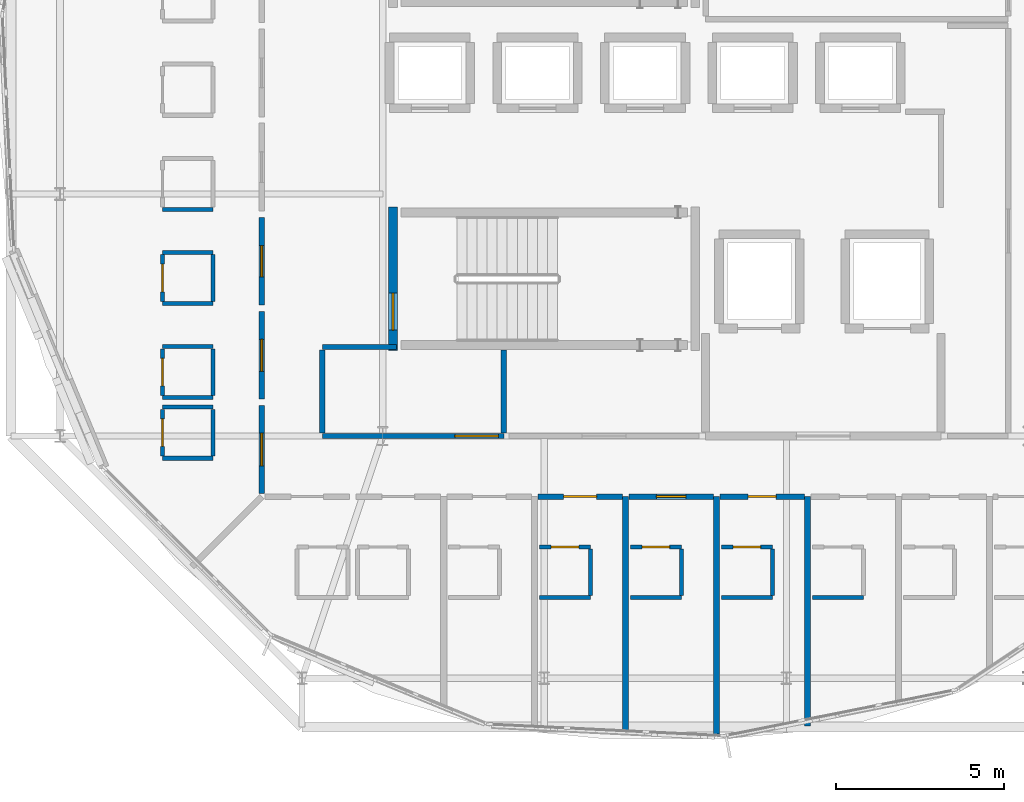
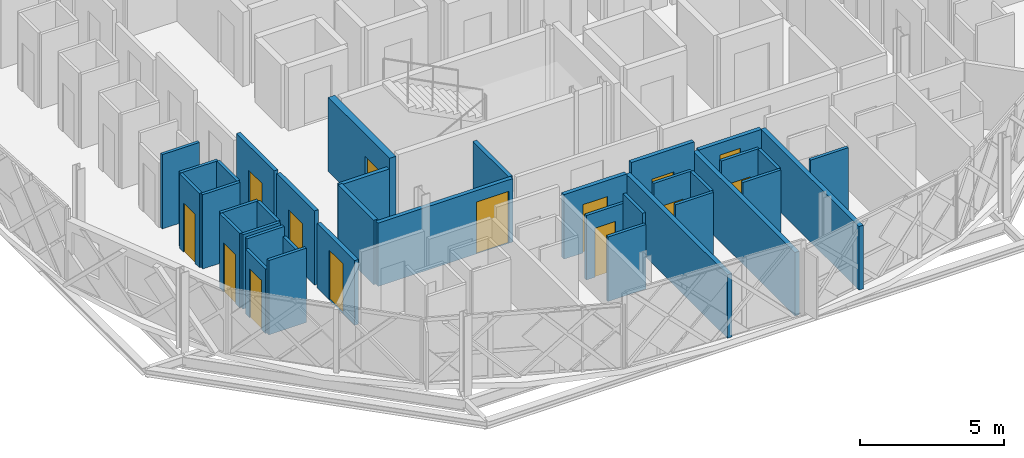
# One storey, part 13 of 24: 37 walls, 14 doors, 14 openings.
"""IFC4 building model written with IfcOpenShell, lengths in metres."""

from ifc_helpers import new_model, si_unit, direction, frame, frame_2d, origin, place, context, subcontext, project, spatial, rectangle, extrude, material, layer, layer_set, type_object, element, fill, save


model = new_model("IFC4")

# Units and contexts
model_context = context("Model", 3, precision=1e-05, world=origin(), true_north=direction((0.0, 1.0)))
body_context = subcontext(model_context, "Body", "Model", "MODEL_VIEW")
ifc_project = project(units=[si_unit("LENGTHUNIT", "METRE"), si_unit("AREAUNIT", "SQUARE_METRE"), si_unit("VOLUMEUNIT", "CUBIC_METRE"), si_unit("PLANEANGLEUNIT", "RADIAN"), si_unit("MASSUNIT", "GRAM", prefix="KILO")], contexts=[model_context])

# Site, building, storey
site_placement = place(None, origin())
site = spatial("IfcSite", under=ifc_project, at=site_placement, CompositionType="ELEMENT")
building_placement = place(site_placement, origin())
building = spatial("IfcBuilding", under=site, at=building_placement, Name="Zevrakil Square Congress Hotel", CompositionType="ELEMENT")
storey_placement = place(building_placement, frame((0.0, 0.0, 38.5)))
storey = spatial("IfcBuildingStorey", under=building, at=storey_placement, Name="L11", CompositionType="ELEMENT", Elevation=38.5)

# Wall, opening, door
ifc_material_1 = material(Name="Gypsum Acoustic Stud Partition")
ifc_layer_1 = layer(ifc_material_1, 0.159912109375)
ifc_layer_set_1 = layer_set([ifc_layer_1], Name="Gypsum Acoustic Stud Partition")
wall_type_1 = type_object("IfcWallType", Name="WAL-CORR-160", PredefinedType="PARTITIONING", material=ifc_layer_set_1)
wall_1_placement = place(storey_placement, frame((135.0, 16.800048828125, 0.0), z_axis=(0.0, 0.0, 1.0), x_axis=(1.0, 0.0, 0.0)))
wall_1 = element("IfcWall", 1, at=wall_1_placement, inside=storey, type_object=wall_type_1, Name="L11 interior partition PW-L11-1780", PredefinedType="PARTITIONING", context=body_context, shape_type="SweptSolid", body=[
    extrude(rectangle(XDim=5.39990234375, YDim=0.159912109375, at=frame_2d((2.699951171875, 0.0))), origin(), (0.0, 0.0, 1.0), 2.68505859375),
])
opening_1_placement = place(wall_1_placement, frame((3.93994140625, 0.0, 0.0)))
opening_1 = element("IfcOpeningElement", 2, at=opening_1_placement, cuts=wall_1, Name="Opening ID-08", PredefinedType="OPENING", context=body_context, shape_type="SweptSolid", body=[
    extrude(rectangle(XDim=1.300048828125, YDim=2.199951171875, at=frame_2d((0.64990234375, 1.10009765625))), frame((0.0, 0.08984375, 0.0), z_axis=(0.0, -1.0, 0.0), x_axis=(1.0, 0.0, 0.0)), (0.0, 0.0, 1.0), 0.179931640625),
])
ifc_material_2 = material(Name="Service Corridor Leaf-and-Half Door")
door_type_1 = type_object("IfcDoorType", Name="DOR-BOH-130", OperationType="NOTDEFINED", PredefinedType="DOOR", material=ifc_material_2)
door_1_placement = place(opening_1_placement, origin())
door_1 = element("IfcDoor", 3, at=door_1_placement, inside=storey, type_object=door_type_1, Name="L11 interior door 692", OperationType="SINGLE_SWING_RIGHT", OverallHeight=2.199951171875, OverallWidth=1.300048828125, PredefinedType="DOOR", context=body_context, shape_type="SweptSolid", body=[
    extrude(rectangle(XDim=1.300048828125, YDim=2.199951171875, at=frame_2d((0.64990234375, 1.10009765625))), frame((0.0, 0.02490234375, 0.0), z_axis=(0.0, -1.0, 0.0), x_axis=(1.0, 0.0, 0.0)), (0.0, 0.0, 1.0), 0.050048828125),
])
fill(opening_1, door_1)

# Walls
wall_2_placement = place(storey_placement, frame((135.0, 16.885009765625, 0.0), z_axis=(0.0, 0.0, 1.0), x_axis=(0.0, 1.0, 0.0)))
element("IfcWall", 4, at=wall_2_placement, inside=storey, type_object=wall_type_1, Name="L11 interior partition PW-L11-1781", PredefinedType="PARTITIONING", context=body_context, shape_type="SweptSolid", body=[
    extrude(rectangle(XDim=2.47998046875, YDim=0.159912109375, at=frame_2d((1.239990234375, 0.0))), origin(), (0.0, 0.0, 1.0), 2.735107421875),
])
wall_3_placement = place(storey_placement, frame((140.39990234375, 16.885009765625, 0.0), z_axis=(0.0, 0.0, 1.0), x_axis=(0.0, 1.0, 0.0)))
element("IfcWall", 5, at=wall_3_placement, inside=storey, type_object=wall_type_1, Name="L11 interior partition PW-L11-1782", PredefinedType="PARTITIONING", context=body_context, shape_type="SweptSolid", body=[
    extrude(rectangle(XDim=2.47998046875, YDim=0.159912109375, at=frame_2d((1.239990234375, 0.0))), origin(), (0.0, 0.0, 1.0), 2.68505859375),
])
wall_4_placement = place(storey_placement, frame((135.0, 19.449951171875, 0.0), z_axis=(0.0, 0.0, 1.0), x_axis=(1.0, 0.0, 0.0)))
element("IfcWall", 6, at=wall_4_placement, inside=storey, type_object=wall_type_1, Name="L11 interior partition PW-L11-1783", PredefinedType="PARTITIONING", context=body_context, shape_type="SweptSolid", body=[
    extrude(rectangle(XDim=2.199951171875, YDim=0.159912109375, at=frame_2d((1.10009765625, 0.0))), origin(), (0.0, 0.0, 1.0), 2.68505859375),
])

# Wall, opening, door
wall_5_placement = place(storey_placement, frame((141.41162109375, 15.0, 0.0), z_axis=(0.0, 0.0, 1.0), x_axis=(1.0, 0.0, 0.0)))
wall_5 = element("IfcWall", 7, at=wall_5_placement, inside=storey, type_object=wall_type_1, Name="L11 interior partition PW-L11-1816", PredefinedType="PARTITIONING", context=body_context, shape_type="SweptSolid", body=[
    extrude(rectangle(XDim=2.515625, YDim=0.159912109375, at=frame_2d((1.2578125, 0.0))), origin(), (0.0, 0.0, 1.0), 2.735107421875),
])
opening_2_placement = place(wall_5_placement, frame((0.767822265625, 0.0, 0.0)))
opening_2 = element("IfcOpeningElement", 8, at=opening_2_placement, cuts=wall_5, Name="Opening ID-G06", PredefinedType="OPENING", context=body_context, shape_type="SweptSolid", body=[
    extrude(rectangle(XDim=0.97998046875, YDim=2.050048828125, at=frame_2d((0.489990234375, 1.02490234375))), frame((0.0, 0.08984375, 0.0), z_axis=(0.0, -1.0, 0.0), x_axis=(1.0, 0.0, 0.0)), (0.0, 0.0, 1.0), 0.179931640625),
])
ifc_material_3 = material(Name="Acoustic Timber Fire Door", Category="wood")
door_type_2 = type_object("IfcDoorType", Name="DOR-INT-G06", OperationType="NOTDEFINED", PredefinedType="DOOR", material=ifc_material_3)
door_2_placement = place(opening_2_placement, origin())
door_2 = element("IfcDoor", 9, at=door_2_placement, inside=storey, type_object=door_type_2, Name="L11 interior door 704", OperationType="SINGLE_SWING_RIGHT", OverallHeight=2.050048828125, OverallWidth=0.97998046875, PredefinedType="DOOR", context=body_context, shape_type="SweptSolid", body=[
    extrude(rectangle(XDim=0.97998046875, YDim=2.050048828125, at=frame_2d((0.489990234375, 1.02490234375))), frame((0.0, 0.02490234375, 0.0), z_axis=(0.0, -1.0, 0.0), x_axis=(1.0, 0.0, 0.0)), (0.0, 0.0, 1.0), 0.050048828125),
])
fill(opening_2, door_2)

wall_6_placement = place(storey_placement, frame((144.1171875, 15.0, 0.0), z_axis=(0.0, 0.0, 1.0), x_axis=(1.0, 0.0, 0.0)))
wall_6 = element("IfcWall", 10, at=wall_6_placement, inside=storey, type_object=wall_type_1, Name="L11 interior partition PW-L11-1821", PredefinedType="PARTITIONING", context=body_context, shape_type="SweptSolid", body=[
    extrude(rectangle(XDim=2.515625, YDim=0.159912109375, at=frame_2d((1.2578125, 0.0))), origin(), (0.0, 0.0, 1.0), 3.14990234375),
])
opening_3_placement = place(wall_6_placement, frame((0.81982421875, 0.0, 0.0)))
opening_3 = element("IfcOpeningElement", 11, at=opening_3_placement, cuts=wall_6, Name="Opening ID-H03", PredefinedType="OPENING", context=body_context, shape_type="SweptSolid", body=[
    extrude(rectangle(XDim=0.8759765625, YDim=2.159912109375, at=frame_2d((0.43798828125, 1.080078125))), frame((0.0, 0.08984375, 0.0), z_axis=(0.0, -1.0, 0.0), x_axis=(1.0, 0.0, 0.0)), (0.0, 0.0, 1.0), 0.179931640625),
])
ifc_material_4 = material(Name="Acoustic Timber Fire Door", Category="wood")
door_type_3 = type_object("IfcDoorType", Name="DOR-INT-H03", OperationType="NOTDEFINED", PredefinedType="DOOR", material=ifc_material_4)
door_3_placement = place(opening_3_placement, origin())
door_3 = element("IfcDoor", 12, at=door_3_placement, inside=storey, type_object=door_type_3, Name="L11 interior door 706", OperationType="SINGLE_SWING_RIGHT", OverallHeight=2.159912109375, OverallWidth=0.8759765625, PredefinedType="DOOR", context=body_context, shape_type="SweptSolid", body=[
    extrude(rectangle(XDim=0.8759765625, YDim=2.159912109375, at=frame_2d((0.43798828125, 1.080078125))), frame((0.0, 0.02490234375, 0.0), z_axis=(0.0, -1.0, 0.0), x_axis=(1.0, 0.0, 0.0)), (0.0, 0.0, 1.0), 0.050048828125),
])
fill(opening_3, door_3)

wall_7_placement = place(storey_placement, frame((146.82275390625, 15.0, 0.0), z_axis=(0.0, 0.0, 1.0), x_axis=(1.0, 0.0, 0.0)))
wall_7 = element("IfcWall", 13, at=wall_7_placement, inside=storey, type_object=wall_type_1, Name="L11 interior partition PW-L11-1826", PredefinedType="PARTITIONING", context=body_context, shape_type="SweptSolid", body=[
    extrude(rectangle(XDim=2.515625, YDim=0.159912109375, at=frame_2d((1.2578125, 0.0))), origin(), (0.0, 0.0, 1.0), 2.735107421875),
])
opening_4_placement = place(wall_7_placement, frame((0.8427734375, 0.0, 0.0)))
opening_4 = element("IfcOpeningElement", 14, at=opening_4_placement, cuts=wall_7, Name="Opening ID-G30", PredefinedType="OPENING", context=body_context, shape_type="SweptSolid", body=[
    extrude(rectangle(XDim=0.830078125, YDim=2.22998046875, at=frame_2d((0.4150390625, 1.114990234375))), frame((0.0, 0.08984375, 0.0), z_axis=(0.0, -1.0, 0.0), x_axis=(1.0, 0.0, 0.0)), (0.0, 0.0, 1.0), 0.179931640625),
])
ifc_material_5 = material(Name="Acoustic Timber Fire Door", Category="wood")
door_type_4 = type_object("IfcDoorType", Name="DOR-INT-G30", OperationType="NOTDEFINED", PredefinedType="DOOR", material=ifc_material_5)
door_4_placement = place(opening_4_placement, origin())
door_4 = element("IfcDoor", 15, at=door_4_placement, inside=storey, type_object=door_type_4, Name="L11 interior door 708", OperationType="SINGLE_SWING_RIGHT", OverallHeight=2.22998046875, OverallWidth=0.830078125, PredefinedType="DOOR", context=body_context, shape_type="SweptSolid", body=[
    extrude(rectangle(XDim=0.830078125, YDim=2.22998046875, at=frame_2d((0.4150390625, 1.114990234375))), frame((0.0, 0.02490234375, 0.0), z_axis=(0.0, -1.0, 0.0), x_axis=(1.0, 0.0, 0.0)), (0.0, 0.0, 1.0), 0.050048828125),
])
fill(opening_4, door_4)

wall_8_placement = place(storey_placement, frame((133.199951171875, 20.695068359375, 0.0), z_axis=(0.0, 0.0, 1.0), x_axis=(0.0, 1.0, 0.0)))
wall_8 = element("IfcWall", 16, at=wall_8_placement, inside=storey, type_object=wall_type_1, Name="L11 interior partition PW-L11-1959", PredefinedType="PARTITIONING", context=body_context, shape_type="SweptSolid", body=[
    extrude(rectangle(XDim=2.60986328125, YDim=0.159912109375, at=frame_2d((1.304931640625, 0.0))), origin(), (0.0, 0.0, 1.0), 3.14990234375),
])
opening_5_placement = place(wall_8_placement, frame((0.840087890625, 0.0, 0.0)))
opening_5 = element("IfcOpeningElement", 17, at=opening_5_placement, cuts=wall_8, Name="Opening ID-G14", PredefinedType="OPENING", context=body_context, shape_type="SweptSolid", body=[
    extrude(rectangle(XDim=0.929931640625, YDim=2.110107421875, at=frame_2d((0.46484375, 1.05517578125))), frame((0.0, 0.08984375, 0.0), z_axis=(0.0, -1.0, 0.0), x_axis=(1.0, 0.0, 0.0)), (0.0, 0.0, 1.0), 0.179931640625),
])
ifc_material_6 = material(Name="Acoustic Timber Fire Door", Category="wood")
door_type_5 = type_object("IfcDoorType", Name="DOR-INT-G14", OperationType="NOTDEFINED", PredefinedType="DOOR", material=ifc_material_6)
door_5_placement = place(opening_5_placement, origin())
door_5 = element("IfcDoor", 18, at=door_5_placement, inside=storey, type_object=door_type_5, Name="L11 interior door 760", OperationType="SINGLE_SWING_RIGHT", OverallHeight=2.110107421875, OverallWidth=0.929931640625, PredefinedType="DOOR", context=body_context, shape_type="SweptSolid", body=[
    extrude(rectangle(XDim=0.929931640625, YDim=2.110107421875, at=frame_2d((0.46484375, 1.05517578125))), frame((0.0, 0.02490234375, 0.0), z_axis=(0.0, -1.0, 0.0), x_axis=(1.0, 0.0, 0.0)), (0.0, 0.0, 1.0), 0.050048828125),
])
fill(opening_5, door_5)

wall_9_placement = place(storey_placement, frame((133.199951171875, 17.89501953125, 0.0), z_axis=(0.0, 0.0, 1.0), x_axis=(0.0, 1.0, 0.0)))
wall_9 = element("IfcWall", 19, at=wall_9_placement, inside=storey, type_object=wall_type_1, Name="L11 interior partition PW-L11-1964", PredefinedType="PARTITIONING", context=body_context, shape_type="SweptSolid", body=[
    extrude(rectangle(XDim=2.60986328125, YDim=0.159912109375, at=frame_2d((1.304931640625, 0.0))), origin(), (0.0, 0.0, 1.0), 3.14990234375),
])
opening_6_placement = place(wall_9_placement, frame((0.827392578125, 0.0, 0.0)))
opening_6 = element("IfcOpeningElement", 20, at=opening_6_placement, cuts=wall_9, Name="Opening ID-G15", PredefinedType="OPENING", context=body_context, shape_type="SweptSolid", body=[
    extrude(rectangle(XDim=0.955078125, YDim=2.110107421875, at=frame_2d((0.4775390625, 1.05517578125))), frame((0.0, 0.08984375, 0.0), z_axis=(0.0, -1.0, 0.0), x_axis=(1.0, 0.0, 0.0)), (0.0, 0.0, 1.0), 0.179931640625),
])
ifc_material_7 = material(Name="Acoustic Timber Fire Door", Category="wood")
door_type_6 = type_object("IfcDoorType", Name="DOR-INT-G15", OperationType="NOTDEFINED", PredefinedType="DOOR", material=ifc_material_7)
door_6_placement = place(opening_6_placement, origin())
door_6 = element("IfcDoor", 21, at=door_6_placement, inside=storey, type_object=door_type_6, Name="L11 interior door 762", OperationType="SINGLE_SWING_RIGHT", OverallHeight=2.110107421875, OverallWidth=0.955078125, PredefinedType="DOOR", context=body_context, shape_type="SweptSolid", body=[
    extrude(rectangle(XDim=0.955078125, YDim=2.110107421875, at=frame_2d((0.4775390625, 1.05517578125))), frame((0.0, 0.02490234375, 0.0), z_axis=(0.0, -1.0, 0.0), x_axis=(1.0, 0.0, 0.0)), (0.0, 0.0, 1.0), 0.050048828125),
])
fill(opening_6, door_6)

wall_10_placement = place(storey_placement, frame((133.199951171875, 15.094970703125, 0.0), z_axis=(0.0, 0.0, 1.0), x_axis=(0.0, 1.0, 0.0)))
wall_10 = element("IfcWall", 22, at=wall_10_placement, inside=storey, type_object=wall_type_1, Name="L11 interior partition PW-L11-1969", PredefinedType="PARTITIONING", context=body_context, shape_type="SweptSolid", body=[
    extrude(rectangle(XDim=2.610107421875, YDim=0.159912109375, at=frame_2d((1.30517578125, 0.0))), origin(), (0.0, 0.0, 1.0), 2.735107421875),
])
opening_7_placement = place(wall_10_placement, frame((0.81494140625, 0.0, 0.0)))
opening_7 = element("IfcOpeningElement", 23, at=opening_7_placement, cuts=wall_10, Name="Opening ID-G16", PredefinedType="OPENING", context=body_context, shape_type="SweptSolid", body=[
    extrude(rectangle(XDim=0.97998046875, YDim=2.110107421875, at=frame_2d((0.489990234375, 1.05517578125))), frame((0.0, 0.08984375, 0.0), z_axis=(0.0, -1.0, 0.0), x_axis=(1.0, 0.0, 0.0)), (0.0, 0.0, 1.0), 0.179931640625),
])
ifc_material_8 = material(Name="Acoustic Timber Fire Door", Category="wood")
door_type_7 = type_object("IfcDoorType", Name="DOR-INT-G16", OperationType="NOTDEFINED", PredefinedType="DOOR", material=ifc_material_8)
door_7_placement = place(opening_7_placement, origin())
door_7 = element("IfcDoor", 24, at=door_7_placement, inside=storey, type_object=door_type_7, Name="L11 interior door 764", OperationType="SINGLE_SWING_RIGHT", OverallHeight=2.110107421875, OverallWidth=0.97998046875, PredefinedType="DOOR", context=body_context, shape_type="SweptSolid", body=[
    extrude(rectangle(XDim=0.97998046875, YDim=2.110107421875, at=frame_2d((0.489990234375, 1.05517578125))), frame((0.0, 0.02490234375, 0.0), z_axis=(0.0, -1.0, 0.0), x_axis=(1.0, 0.0, 0.0)), (0.0, 0.0, 1.0), 0.050048828125),
])
fill(opening_7, door_7)

# Wall
ifc_material_9 = material(Name="Moisture-Resistant Gypsum Partition")
ifc_layer_2 = layer(ifc_material_9, 0.1201171875)
ifc_layer_set_2 = layer_set([ifc_layer_2], Name="Moisture-Resistant Gypsum Partition")
wall_type_2 = type_object("IfcWallType", Name="WAL-ENS-120", PredefinedType="PARTITIONING", material=ifc_layer_set_2)
wall_11_placement = place(storey_placement, frame((141.456787109375, 12.0, 0.0), z_axis=(0.0, 0.0, 1.0), x_axis=(1.0, 0.0, 0.0)))
element("IfcWall", 25, at=wall_11_placement, inside=storey, type_object=wall_type_2, Name="L11 interior partition PW-L11-1817", PredefinedType="PARTITIONING", context=body_context, shape_type="SweptSolid", body=[
    extrude(rectangle(XDim=1.52001953125, YDim=0.1201171875, at=frame_2d((0.760009765625, 0.0))), origin(), (0.0, 0.0, 1.0), 2.735107421875),
])

# Wall, opening, door
wall_12_placement = place(storey_placement, frame((141.456787109375, 13.5, 0.0), z_axis=(0.0, 0.0, 1.0), x_axis=(1.0, 0.0, 0.0)))
wall_12 = element("IfcWall", 26, at=wall_12_placement, inside=storey, type_object=wall_type_2, Name="L11 interior partition PW-L11-1818", PredefinedType="PARTITIONING", context=body_context, shape_type="SweptSolid", body=[
    extrude(rectangle(XDim=1.52001953125, YDim=0.1201171875, at=frame_2d((0.760009765625, 0.0))), origin(), (0.0, 0.0, 1.0), 2.735107421875),
])
opening_8_placement = place(wall_12_placement, frame((0.35009765625, 0.0, 0.0)))
opening_8 = element("IfcOpeningElement", 27, at=opening_8_placement, cuts=wall_12, Name="Opening ID-11", PredefinedType="OPENING", context=body_context, shape_type="SweptSolid", body=[
    extrude(rectangle(XDim=0.820068359375, YDim=2.080078125, at=frame_2d((0.41015625, 1.0400390625))), frame((0.0, 0.070068359375, 0.0), z_axis=(0.0, -1.0, 0.0), x_axis=(1.0, 0.0, 0.0)), (0.0, 0.0, 1.0), 0.14013671875),
])
ifc_material_10 = material(Name="Acoustic Timber Door", Category="wood")
door_type_8 = type_object("IfcDoorType", Name="DOR-INT-V01", OperationType="NOTDEFINED", PredefinedType="DOOR", material=ifc_material_10)
door_8_placement = place(opening_8_placement, origin())
door_8 = element("IfcDoor", 28, at=door_8_placement, inside=storey, type_object=door_type_8, Name="L11 interior door 705", OperationType="SINGLE_SWING_LEFT", OverallHeight=2.080078125, OverallWidth=0.820068359375, PredefinedType="DOOR", context=body_context, shape_type="SweptSolid", body=[
    extrude(rectangle(XDim=0.820068359375, YDim=2.080078125, at=frame_2d((0.41015625, 1.0400390625))), frame((0.0, 0.02490234375, 0.0), z_axis=(0.0, -1.0, 0.0), x_axis=(1.0, 0.0, 0.0)), (0.0, 0.0, 1.0), 0.050048828125),
])
fill(opening_8, door_8)

# Walls
wall_13_placement = place(storey_placement, frame((142.976806640625, 12.06494140625, 0.0), z_axis=(0.0, 0.0, 1.0), x_axis=(0.0, 1.0, 0.0)))
element("IfcWall", 29, at=wall_13_placement, inside=storey, type_object=wall_type_2, Name="L11 interior partition PW-L11-1819", PredefinedType="PARTITIONING", context=body_context, shape_type="SweptSolid", body=[
    extrude(rectangle(XDim=1.3701171875, YDim=0.1201171875, at=frame_2d((0.68505859375, 0.0))), origin(), (0.0, 0.0, 1.0), 3.14990234375),
])
wall_14_placement = place(storey_placement, frame((144.162109375, 12.0, 0.0), z_axis=(0.0, 0.0, 1.0), x_axis=(1.0, 0.0, 0.0)))
element("IfcWall", 30, at=wall_14_placement, inside=storey, type_object=wall_type_2, Name="L11 interior partition PW-L11-1822", PredefinedType="PARTITIONING", context=body_context, shape_type="SweptSolid", body=[
    extrude(rectangle(XDim=1.52001953125, YDim=0.1201171875, at=frame_2d((0.760009765625, 0.0))), origin(), (0.0, 0.0, 1.0), 3.14990234375),
])

# Wall, opening, door
wall_15_placement = place(storey_placement, frame((144.162109375, 13.5, 0.0), z_axis=(0.0, 0.0, 1.0), x_axis=(1.0, 0.0, 0.0)))
wall_15 = element("IfcWall", 31, at=wall_15_placement, inside=storey, type_object=wall_type_2, Name="L11 interior partition PW-L11-1823", PredefinedType="PARTITIONING", context=body_context, shape_type="SweptSolid", body=[
    extrude(rectangle(XDim=1.52001953125, YDim=0.1201171875, at=frame_2d((0.760009765625, 0.0))), origin(), (0.0, 0.0, 1.0), 3.14990234375),
])
opening_9_placement = place(wall_15_placement, frame((0.35009765625, 0.0, 0.0)))
opening_9 = element("IfcOpeningElement", 32, at=opening_9_placement, cuts=wall_15, Name="Opening ID-11", PredefinedType="OPENING", context=body_context, shape_type="SweptSolid", body=[
    extrude(rectangle(XDim=0.820068359375, YDim=2.080078125, at=frame_2d((0.41015625, 1.0400390625))), frame((0.0, 0.070068359375, 0.0), z_axis=(0.0, -1.0, 0.0), x_axis=(1.0, 0.0, 0.0)), (0.0, 0.0, 1.0), 0.14013671875),
])
door_9_placement = place(opening_9_placement, origin())
door_9 = element("IfcDoor", 33, at=door_9_placement, inside=storey, type_object=door_type_8, Name="L11 interior door 707", OperationType="SINGLE_SWING_LEFT", OverallHeight=2.080078125, OverallWidth=0.820068359375, PredefinedType="DOOR", context=body_context, shape_type="SweptSolid", body=[
    extrude(rectangle(XDim=0.820068359375, YDim=2.080078125, at=frame_2d((0.41015625, 1.0400390625))), frame((0.0, 0.02490234375, 0.0), z_axis=(0.0, -1.0, 0.0), x_axis=(1.0, 0.0, 0.0)), (0.0, 0.0, 1.0), 0.050048828125),
])
fill(opening_9, door_9)

# Walls
wall_16_placement = place(storey_placement, frame((145.68212890625, 12.06494140625, 0.0), z_axis=(0.0, 0.0, 1.0), x_axis=(0.0, 1.0, 0.0)))
element("IfcWall", 34, at=wall_16_placement, inside=storey, type_object=wall_type_2, Name="L11 interior partition PW-L11-1824", PredefinedType="PARTITIONING", context=body_context, shape_type="SweptSolid", body=[
    extrude(rectangle(XDim=1.3701171875, YDim=0.1201171875, at=frame_2d((0.68505859375, 0.0))), origin(), (0.0, 0.0, 1.0), 3.14990234375),
])
wall_17_placement = place(storey_placement, frame((146.867919921875, 12.0, 0.0), z_axis=(0.0, 0.0, 1.0), x_axis=(1.0, 0.0, 0.0)))
element("IfcWall", 35, at=wall_17_placement, inside=storey, type_object=wall_type_2, Name="L11 interior partition PW-L11-1827", PredefinedType="PARTITIONING", context=body_context, shape_type="SweptSolid", body=[
    extrude(rectangle(XDim=1.519775390625, YDim=0.1201171875, at=frame_2d((0.759765625, 0.0))), origin(), (0.0, 0.0, 1.0), 3.14990234375),
])

# Wall, opening, door
wall_18_placement = place(storey_placement, frame((146.867919921875, 13.5, 0.0), z_axis=(0.0, 0.0, 1.0), x_axis=(1.0, 0.0, 0.0)))
wall_18 = element("IfcWall", 36, at=wall_18_placement, inside=storey, type_object=wall_type_2, Name="L11 interior partition PW-L11-1828", PredefinedType="PARTITIONING", context=body_context, shape_type="SweptSolid", body=[
    extrude(rectangle(XDim=1.519775390625, YDim=0.1201171875, at=frame_2d((0.759765625, 0.0))), origin(), (0.0, 0.0, 1.0), 3.14990234375),
])
opening_10_placement = place(wall_18_placement, frame((0.35009765625, 0.0, 0.0)))
opening_10 = element("IfcOpeningElement", 37, at=opening_10_placement, cuts=wall_18, Name="Opening ID-11", PredefinedType="OPENING", context=body_context, shape_type="SweptSolid", body=[
    extrude(rectangle(XDim=0.820068359375, YDim=2.080078125, at=frame_2d((0.41015625, 1.0400390625))), frame((0.0, 0.070068359375, 0.0), z_axis=(0.0, -1.0, 0.0), x_axis=(1.0, 0.0, 0.0)), (0.0, 0.0, 1.0), 0.14013671875),
])
door_10_placement = place(opening_10_placement, origin())
door_10 = element("IfcDoor", 38, at=door_10_placement, inside=storey, type_object=door_type_8, Name="L11 interior door 709", OperationType="SINGLE_SWING_LEFT", OverallHeight=2.080078125, OverallWidth=0.820068359375, PredefinedType="DOOR", context=body_context, shape_type="SweptSolid", body=[
    extrude(rectangle(XDim=0.820068359375, YDim=2.080078125, at=frame_2d((0.41015625, 1.0400390625))), frame((0.0, 0.02490234375, 0.0), z_axis=(0.0, -1.0, 0.0), x_axis=(1.0, 0.0, 0.0)), (0.0, 0.0, 1.0), 0.050048828125),
])
fill(opening_10, door_10)

# Walls
wall_19_placement = place(storey_placement, frame((148.3876953125, 12.06494140625, 0.0), z_axis=(0.0, 0.0, 1.0), x_axis=(0.0, 1.0, 0.0)))
element("IfcWall", 39, at=wall_19_placement, inside=storey, type_object=wall_type_2, Name="L11 interior partition PW-L11-1829", PredefinedType="PARTITIONING", context=body_context, shape_type="SweptSolid", body=[
    extrude(rectangle(XDim=1.3701171875, YDim=0.1201171875, at=frame_2d((0.68505859375, 0.0))), origin(), (0.0, 0.0, 1.0), 3.14990234375),
])
wall_20_placement = place(storey_placement, frame((149.5732421875, 12.0, 0.0), z_axis=(0.0, 0.0, 1.0), x_axis=(1.0, 0.0, 0.0)))
element("IfcWall", 40, at=wall_20_placement, inside=storey, type_object=wall_type_2, Name="L11 interior partition PW-L11-1832", PredefinedType="PARTITIONING", context=body_context, shape_type="SweptSolid", body=[
    extrude(rectangle(XDim=1.52001953125, YDim=0.1201171875, at=frame_2d((0.760009765625, 0.0))), origin(), (0.0, 0.0, 1.0), 3.14990234375),
])
for number, where, z_axis, x_axis, name in (
    (41, (130.25, 23.5400390625, 0.0), (0.0, 0.0, 1.0), (1.0, 0.0, 0.0), "L11 interior partition PW-L11-1955"),
    (42, (130.25, 20.739990234375, 0.0), (0.0, 0.0, 1.0), (1.0, 0.0, 0.0), "L11 interior partition PW-L11-1960"),
    (43, (130.25, 22.260009765625, 0.0), (0.0, 0.0, 1.0), (1.0, 0.0, 0.0), "L11 interior partition PW-L11-1961"),
):
    element("IfcWall", number, at=place(storey_placement, frame(where, z_axis=z_axis, x_axis=x_axis)), inside=storey, type_object=wall_type_2, Name=name, PredefinedType="PARTITIONING", context=body_context, shape_type="SweptSolid", body=[
        extrude(rectangle(XDim=1.5, YDim=0.1201171875, at=frame_2d((0.75, 0.0))), origin(), (0.0, 0.0, 1.0), 3.14990234375),
    ])

# Wall, opening, door
wall_21_placement = place(storey_placement, frame((130.25, 20.804931640625, 0.0), z_axis=(0.0, 0.0, 1.0), x_axis=(0.0, 1.0, 0.0)))
wall_21 = element("IfcWall", 44, at=wall_21_placement, inside=storey, type_object=wall_type_2, Name="L11 interior partition PW-L11-1962", PredefinedType="PARTITIONING", context=body_context, shape_type="SweptSolid", body=[
    extrude(rectangle(XDim=1.39013671875, YDim=0.1201171875, at=frame_2d((0.695068359375, 0.0))), origin(), (0.0, 0.0, 1.0), 3.14990234375),
])
opening_11_placement = place(wall_21_placement, frame((0.284912109375, 0.0, 0.0)))
opening_11 = element("IfcOpeningElement", 45, at=opening_11_placement, cuts=wall_21, Name="Opening ID-11", PredefinedType="OPENING", context=body_context, shape_type="SweptSolid", body=[
    extrude(rectangle(XDim=0.820068359375, YDim=2.080078125, at=frame_2d((0.41015625, 1.0400390625))), frame((0.0, 0.070068359375, 0.0), z_axis=(0.0, -1.0, 0.0), x_axis=(1.0, 0.0, 0.0)), (0.0, 0.0, 1.0), 0.14013671875),
])
door_11_placement = place(opening_11_placement, origin())
door_11 = element("IfcDoor", 46, at=door_11_placement, inside=storey, type_object=door_type_8, Name="L11 interior door 761", OperationType="SINGLE_SWING_LEFT", OverallHeight=2.080078125, OverallWidth=0.820068359375, PredefinedType="DOOR", context=body_context, shape_type="SweptSolid", body=[
    extrude(rectangle(XDim=0.820068359375, YDim=2.080078125, at=frame_2d((0.41015625, 1.0400390625))), frame((0.0, 0.02490234375, 0.0), z_axis=(0.0, -1.0, 0.0), x_axis=(1.0, 0.0, 0.0)), (0.0, 0.0, 1.0), 0.050048828125),
])
fill(opening_11, door_11)

# Walls
wall_22_placement = place(storey_placement, frame((131.75, 20.804931640625, 0.0), z_axis=(0.0, 0.0, 1.0), x_axis=(0.0, 1.0, 0.0)))
element("IfcWall", 47, at=wall_22_placement, inside=storey, type_object=wall_type_2, Name="L11 interior partition PW-L11-1963", PredefinedType="PARTITIONING", context=body_context, shape_type="SweptSolid", body=[
    extrude(rectangle(XDim=1.39013671875, YDim=0.1201171875, at=frame_2d((0.695068359375, 0.0))), origin(), (0.0, 0.0, 1.0), 3.14990234375),
])
for number, where, z_axis, x_axis, name in (
    (48, (130.25, 17.93994140625, 0.0), (0.0, 0.0, 1.0), (1.0, 0.0, 0.0), "L11 interior partition PW-L11-1965"),
    (49, (130.25, 19.4599609375, 0.0), (0.0, 0.0, 1.0), (1.0, 0.0, 0.0), "L11 interior partition PW-L11-1966"),
):
    element("IfcWall", number, at=place(storey_placement, frame(where, z_axis=z_axis, x_axis=x_axis)), inside=storey, type_object=wall_type_2, Name=name, PredefinedType="PARTITIONING", context=body_context, shape_type="SweptSolid", body=[
        extrude(rectangle(XDim=1.5, YDim=0.1201171875, at=frame_2d((0.75, 0.0))), origin(), (0.0, 0.0, 1.0), 3.14990234375),
    ])

# Wall, opening, door
wall_23_placement = place(storey_placement, frame((130.25, 18.0048828125, 0.0), z_axis=(0.0, 0.0, 1.0), x_axis=(0.0, 1.0, 0.0)))
wall_23 = element("IfcWall", 50, at=wall_23_placement, inside=storey, type_object=wall_type_2, Name="L11 interior partition PW-L11-1967", PredefinedType="PARTITIONING", context=body_context, shape_type="SweptSolid", body=[
    extrude(rectangle(XDim=1.39013671875, YDim=0.1201171875, at=frame_2d((0.695068359375, 0.0))), origin(), (0.0, 0.0, 1.0), 3.14990234375),
])
opening_12_placement = place(wall_23_placement, frame((0.284912109375, 0.0, 0.0)))
opening_12 = element("IfcOpeningElement", 51, at=opening_12_placement, cuts=wall_23, Name="Opening ID-11", PredefinedType="OPENING", context=body_context, shape_type="SweptSolid", body=[
    extrude(rectangle(XDim=0.820068359375, YDim=2.080078125, at=frame_2d((0.41015625, 1.0400390625))), frame((0.0, 0.070068359375, 0.0), z_axis=(0.0, -1.0, 0.0), x_axis=(1.0, 0.0, 0.0)), (0.0, 0.0, 1.0), 0.14013671875),
])
door_12_placement = place(opening_12_placement, origin())
door_12 = element("IfcDoor", 52, at=door_12_placement, inside=storey, type_object=door_type_8, Name="L11 interior door 763", OperationType="SINGLE_SWING_LEFT", OverallHeight=2.080078125, OverallWidth=0.820068359375, PredefinedType="DOOR", context=body_context, shape_type="SweptSolid", body=[
    extrude(rectangle(XDim=0.820068359375, YDim=2.080078125, at=frame_2d((0.41015625, 1.0400390625))), frame((0.0, 0.02490234375, 0.0), z_axis=(0.0, -1.0, 0.0), x_axis=(1.0, 0.0, 0.0)), (0.0, 0.0, 1.0), 0.050048828125),
])
fill(opening_12, door_12)

# Walls
wall_24_placement = place(storey_placement, frame((131.75, 18.0048828125, 0.0), z_axis=(0.0, 0.0, 1.0), x_axis=(0.0, 1.0, 0.0)))
element("IfcWall", 53, at=wall_24_placement, inside=storey, type_object=wall_type_2, Name="L11 interior partition PW-L11-1968", PredefinedType="PARTITIONING", context=body_context, shape_type="SweptSolid", body=[
    extrude(rectangle(XDim=1.39013671875, YDim=0.1201171875, at=frame_2d((0.695068359375, 0.0))), origin(), (0.0, 0.0, 1.0), 3.14990234375),
])
for number, where, z_axis, x_axis, name in (
    (54, (130.25, 16.139892578125, 0.0), (0.0, 0.0, 1.0), (1.0, 0.0, 0.0), "L11 interior partition PW-L11-1970"),
    (55, (130.25, 17.659912109375, 0.0), (0.0, 0.0, 1.0), (1.0, 0.0, 0.0), "L11 interior partition PW-L11-1971"),
):
    element("IfcWall", number, at=place(storey_placement, frame(where, z_axis=z_axis, x_axis=x_axis)), inside=storey, type_object=wall_type_2, Name=name, PredefinedType="PARTITIONING", context=body_context, shape_type="SweptSolid", body=[
        extrude(rectangle(XDim=1.5, YDim=0.1201171875, at=frame_2d((0.75, 0.0))), origin(), (0.0, 0.0, 1.0), 3.14990234375),
    ])

# Wall, opening, door
wall_25_placement = place(storey_placement, frame((130.25, 16.205078125, 0.0), z_axis=(0.0, 0.0, 1.0), x_axis=(0.0, 1.0, 0.0)))
wall_25 = element("IfcWall", 56, at=wall_25_placement, inside=storey, type_object=wall_type_2, Name="L11 interior partition PW-L11-1972", PredefinedType="PARTITIONING", context=body_context, shape_type="SweptSolid", body=[
    extrude(rectangle(XDim=1.389892578125, YDim=0.1201171875, at=frame_2d((0.69482421875, 0.0))), origin(), (0.0, 0.0, 1.0), 2.735107421875),
])
opening_13_placement = place(wall_25_placement, frame((0.284912109375, 0.0, 0.0)))
opening_13 = element("IfcOpeningElement", 57, at=opening_13_placement, cuts=wall_25, Name="Opening ID-11", PredefinedType="OPENING", context=body_context, shape_type="SweptSolid", body=[
    extrude(rectangle(XDim=0.820068359375, YDim=2.080078125, at=frame_2d((0.41015625, 1.0400390625))), frame((0.0, 0.070068359375, 0.0), z_axis=(0.0, -1.0, 0.0), x_axis=(1.0, 0.0, 0.0)), (0.0, 0.0, 1.0), 0.14013671875),
])
door_13_placement = place(opening_13_placement, origin())
door_13 = element("IfcDoor", 58, at=door_13_placement, inside=storey, type_object=door_type_8, Name="L11 interior door 765", OperationType="SINGLE_SWING_LEFT", OverallHeight=2.080078125, OverallWidth=0.820068359375, PredefinedType="DOOR", context=body_context, shape_type="SweptSolid", body=[
    extrude(rectangle(XDim=0.820068359375, YDim=2.080078125, at=frame_2d((0.41015625, 1.0400390625))), frame((0.0, 0.02490234375, 0.0), z_axis=(0.0, -1.0, 0.0), x_axis=(1.0, 0.0, 0.0)), (0.0, 0.0, 1.0), 0.050048828125),
])
fill(opening_13, door_13)

# Walls
wall_26_placement = place(storey_placement, frame((131.75, 16.205078125, 0.0), z_axis=(0.0, 0.0, 1.0), x_axis=(0.0, 1.0, 0.0)))
element("IfcWall", 59, at=wall_26_placement, inside=storey, type_object=wall_type_2, Name="L11 interior partition PW-L11-1973", PredefinedType="PARTITIONING", context=body_context, shape_type="SweptSolid", body=[
    extrude(rectangle(XDim=1.389892578125, YDim=0.1201171875, at=frame_2d((0.69482421875, 0.0))), origin(), (0.0, 0.0, 1.0), 2.735107421875),
])
ifc_material_11 = material(Name="Gypsum Twin-Stud Party Partition")
ifc_layer_3 = layer(ifc_material_11, 0.179931640625)
ifc_layer_set_3 = layer_set([ifc_layer_3], Name="Gypsum Twin-Stud Party Partition")
wall_type_3 = type_object("IfcWallType", Name="WAL-PARTY-180", PredefinedType="PARTITIONING", material=ifc_layer_set_3)
for number, where, z_axis, x_axis, name in (
    (60, (144.022216796875, 7.93408203125, 0.0), (0.0, 0.0, 1.0), (0.0, 1.0, 0.0), "L11 interior partition PW-L11-1820"),
    (61, (146.727783203125, 7.93408203125, 0.0), (0.0, 0.0, 1.0), (0.0, 1.0, 0.0), "L11 interior partition PW-L11-1825"),
):
    element("IfcWall", number, at=place(storey_placement, frame(where, z_axis=z_axis, x_axis=x_axis)), inside=storey, type_object=wall_type_3, Name=name, PredefinedType="PARTITIONING", context=body_context, shape_type="SweptSolid", body=[
        extrude(rectangle(XDim=7.06591796875, YDim=0.179931640625, at=frame_2d((3.532958984375, 0.0))), origin(), (0.0, 0.0, 1.0), 2.695068359375),
    ])
wall_27_placement = place(storey_placement, frame((149.433349609375, 8.179931640625, 0.0), z_axis=(0.0, 0.0, 1.0), x_axis=(0.0, 1.0, 0.0)))
element("IfcWall", 62, at=wall_27_placement, inside=storey, type_object=wall_type_3, Name="L11 interior partition PW-L11-1830", PredefinedType="PARTITIONING", context=body_context, shape_type="SweptSolid", body=[
    extrude(rectangle(XDim=6.820068359375, YDim=0.179931640625, at=frame_2d((3.41015625, 0.0))), origin(), (0.0, 0.0, 1.0), 2.695068359375),
])

# Wall, opening, door
ifc_material_12 = material(Name="Concrete C40/50", Category="concrete")
ifc_layer_4 = layer(ifc_material_12, 0.260009765625)
ifc_layer_set_4 = layer_set([ifc_layer_4], Name="Concrete C40/50")
wall_type_4 = type_object("IfcWallType", Name="WAL-SHAFT-260", PredefinedType="SHEAR", material=ifc_layer_set_4)
wall_28_placement = place(storey_placement, frame((137.10498046875, 19.340087890625, 0.0), z_axis=(0.0, 0.0, 1.0), x_axis=(0.0, 1.0, 0.0)))
wall_28 = element("IfcWall", 63, at=wall_28_placement, inside=storey, type_object=wall_type_4, Name="L11 ST01 stair shaft W wall", PredefinedType="SHEAR", context=body_context, shape_type="SweptSolid", body=[
    extrude(rectangle(XDim=4.27001953125, YDim=0.260009765625, at=frame_2d((2.135009765625, 0.0))), origin(), (0.0, 0.0, 1.0), 3.14990234375),
])
opening_14_placement = place(wall_28_placement, frame((0.610107421875, 0.0, 0.0)))
opening_14 = element("IfcOpeningElement", 64, at=opening_14_placement, cuts=wall_28, Name="Opening SD-ST01", PredefinedType="OPENING", context=body_context, shape_type="SweptSolid", body=[
    extrude(rectangle(XDim=1.10009765625, YDim=2.199951171875, at=frame_2d((0.550048828125, 1.10009765625))), frame((0.0, 0.14013671875, 0.0), z_axis=(0.0, -1.0, 0.0), x_axis=(1.0, 0.0, 0.0)), (0.0, 0.0, 1.0), 0.280029296875),
])
ifc_material_13 = material(Name="Steel S355 Fire-Rated Door", Category="steel")
door_type_9 = type_object("IfcDoorType", Name="DOR-STAIR-FD90-110", OperationType="NOTDEFINED", PredefinedType="DOOR", material=ifc_material_13)
door_14_placement = place(opening_14_placement, origin())
door_14 = element("IfcDoor", 65, at=door_14_placement, inside=storey, type_object=door_type_9, Name="L11 ST01 protected stair fire door", OperationType="SINGLE_SWING_RIGHT", OverallHeight=2.199951171875, OverallWidth=1.10009765625, PredefinedType="DOOR", context=body_context, shape_type="SweptSolid", body=[
    extrude(rectangle(XDim=1.10009765625, YDim=2.199951171875, at=frame_2d((0.550048828125, 1.10009765625))), frame((0.0, 0.02490234375, 0.0), z_axis=(0.0, -1.0, 0.0), x_axis=(1.0, 0.0, 0.0)), (0.0, 0.0, 1.0), 0.050048828125),
])
fill(opening_14, door_14)

save(model, "model.ifc")
